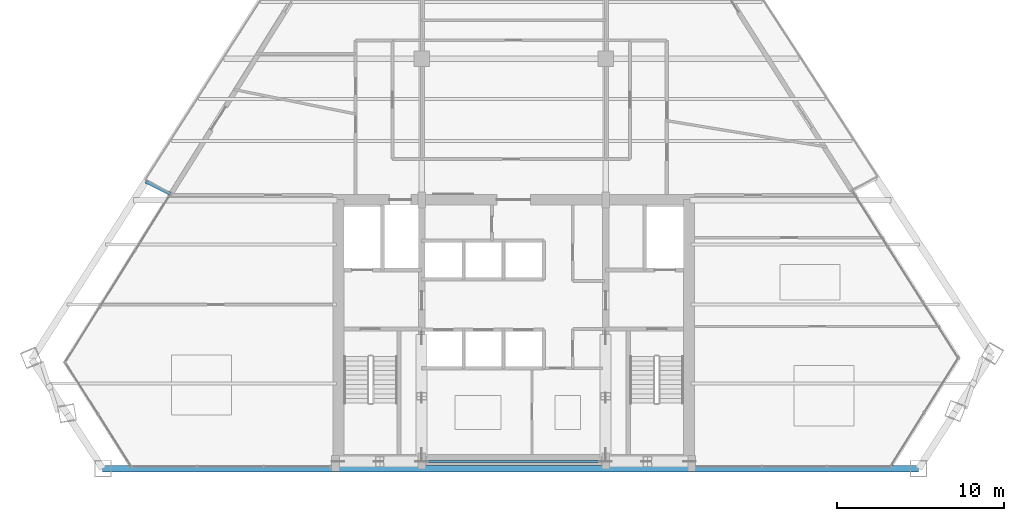
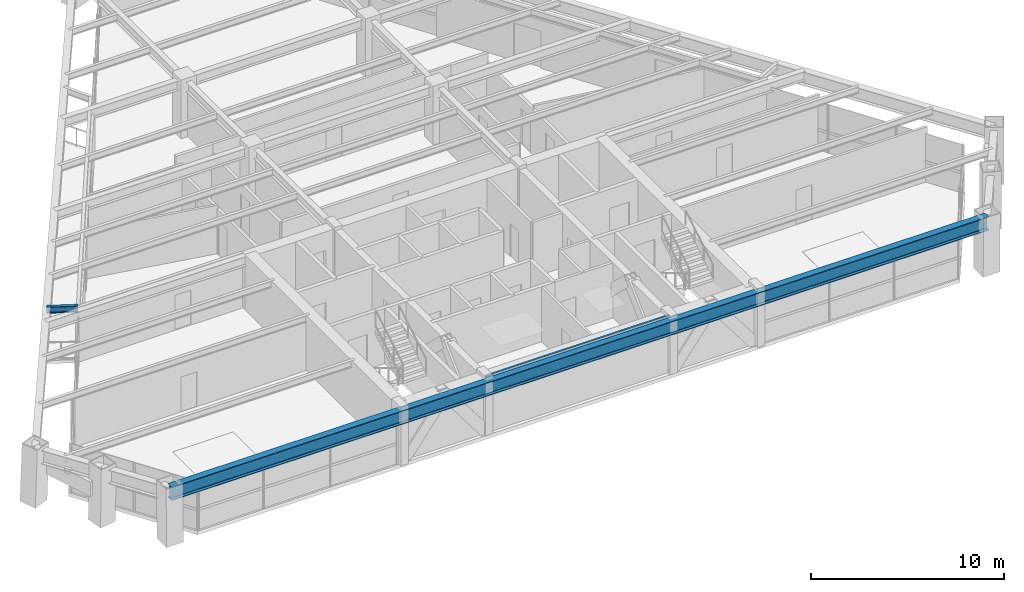
# One storey, part 3 of 15: 3 beams.
"""IFC4 building model written with IfcOpenShell, lengths in metres."""

from ifc_helpers import new_model, si_unit, direction, frame, origin, origin_2d, place, context, subcontext, project, spatial, i_section, extrude, source, transform, mapped, material, material_profile, profile_set, type_object, type_shapes, element, save


model = new_model("IFC4")

# Units and contexts
model_context = context("Model", 3, precision=1e-05, world=origin(), true_north=direction((0.0, 1.0)))
body_context = subcontext(model_context, "Body", "Model", "MODEL_VIEW")
ifc_project = project(units=[si_unit("LENGTHUNIT", "METRE"), si_unit("AREAUNIT", "SQUARE_METRE"), si_unit("VOLUMEUNIT", "CUBIC_METRE"), si_unit("PLANEANGLEUNIT", "RADIAN"), si_unit("MASSUNIT", "GRAM", prefix="KILO")], contexts=[model_context])

# Site, building, storey
site_placement = place(None, origin())
site = spatial("IfcSite", under=ifc_project, at=site_placement, CompositionType="ELEMENT")
building_placement = place(site_placement, origin())
building = spatial("IfcBuilding", under=site, at=building_placement, Name="Varnakhor Terracotta Tower", CompositionType="ELEMENT")
storey_placement = place(building_placement, frame((0.0, 0.0, 178.39990234375)))
storey = spatial("IfcBuildingStorey", under=building, at=storey_placement, Name="L45", CompositionType="ELEMENT", Elevation=178.39990234375)

# Beams
ifc_material = material(Name="Steel S355", Category="steel")
ifc_material_profile_1 = material_profile(ifc_material, i_section(OverallWidth=0.1201171875, OverallDepth=0.239990234375, WebThickness=0.006103515625, FlangeThickness=0.009765625, FilletRadius=0.01806640625, at=origin_2d()), Name="IPE240")
ifc_profile_set_1 = profile_set([ifc_material_profile_1], Name="Steel S355")
beam_type_1 = type_object("IfcBeamType", Name="LNT-IPE240", PredefinedType="LINTEL", material=ifc_profile_set_1)
shared_shape_1 = source(origin(), body_context, "Body", "SweptSolid", [
    extrude(i_section(OverallWidth=0.1201171875, OverallDepth=0.239990234375, WebThickness=0.006103515625, FlangeThickness=0.009765625, FilletRadius=0.01806640625, at=origin_2d()), origin(), (0.0, 0.0, 1.0), 11.0),
])
type_shapes(beam_type_1, [shared_shape_1])
beam_1_placement = place(storey_placement, frame((-5.5, 0.419921875, 3.35009765625), z_axis=(1.0, 0.0, 0.0), x_axis=(0.0, 1.0, 0.0)))
element("IfcBeam", 1, at=beam_1_placement, inside=storey, type_object=beam_type_1, Name="L45 Core South Coupling Lintel", PredefinedType="LINTEL", context=body_context, shape_type="MappedRepresentation", body=[
    mapped(shared_shape_1, transform((0.0, 0.0, 0.0), scale=1.0)),
])
ifc_material_profile_2 = material_profile(ifc_material, i_section(OverallWidth=0.39990234375, OverallDepth=0.85498046875, WebThickness=0.01806640625, FlangeThickness=0.029052734375, FilletRadius=0.01806640625, at=origin_2d()), Name="W33X201")
ifc_profile_set_2 = profile_set([ifc_material_profile_2], Name="Steel S355")
beam_type_2 = type_object("IfcBeamType", Name="BM-W33X201", PredefinedType="BEAM", material=ifc_profile_set_2)
shared_shape_2 = source(origin(), body_context, "Body", "SweptSolid", [
    extrude(i_section(OverallWidth=0.39990234375, OverallDepth=0.85498046875, WebThickness=0.01806640625, FlangeThickness=0.029052734375, FilletRadius=0.01806640625, at=origin_2d()), origin(), (0.0, 0.0, 1.0), 48.784423828125),
])
beam_2_placement = place(storey_placement, frame((-24.567626953125, 0.0, 3.04248046875), z_axis=(1.0, 0.0, 0.0), x_axis=(0.0, 1.0, 0.0)))
element("IfcBeam", 2, at=beam_2_placement, inside=storey, type_object=beam_type_2, Name="L45 Perimeter Spandrel 1", PredefinedType="BEAM", context=body_context, shape_type="MappedRepresentation", body=[
    mapped(shared_shape_2, transform((0.0, 0.0, 0.0), scale=1.0)),
])
ifc_material_profile_3 = material_profile(ifc_material, i_section(OverallWidth=0.179931640625, OverallDepth=0.39990234375, WebThickness=0.008544921875, FlangeThickness=0.013427734375, FilletRadius=0.01806640625, at=origin_2d()), Name="IPE400")
ifc_profile_set_3 = profile_set([ifc_material_profile_3], Name="Steel S355")
beam_type_3 = type_object("IfcBeamType", Name="JST-IPE400", PredefinedType="JOIST", material=ifc_profile_set_3)
shared_shape_3 = source(origin(), body_context, "Body", "SweptSolid", [
    extrude(i_section(OverallWidth=0.179931640625, OverallDepth=0.39990234375, WebThickness=0.008544921875, FlangeThickness=0.013427734375, FilletRadius=0.01806640625, at=origin_2d()), origin(), (0.0, 0.0, 1.0), 1.63037109375),
])
beam_3_placement = place(storey_placement, frame((-20.54150390625, 16.435791015625, 3.27001953125), z_axis=(-0.896691777466, 0.442655459951, 0.0), x_axis=(-0.442655459951, -0.896691777466, 0.0)))
element("IfcBeam", 3, at=beam_3_placement, inside=storey, type_object=beam_type_3, Name="L46 W Loggia Tie Beam 1", PredefinedType="JOIST", context=body_context, shape_type="MappedRepresentation", body=[
    mapped(shared_shape_3, transform((0.0, 0.0, 0.0), scale=1.0)),
])

save(model, "model.ifc")
